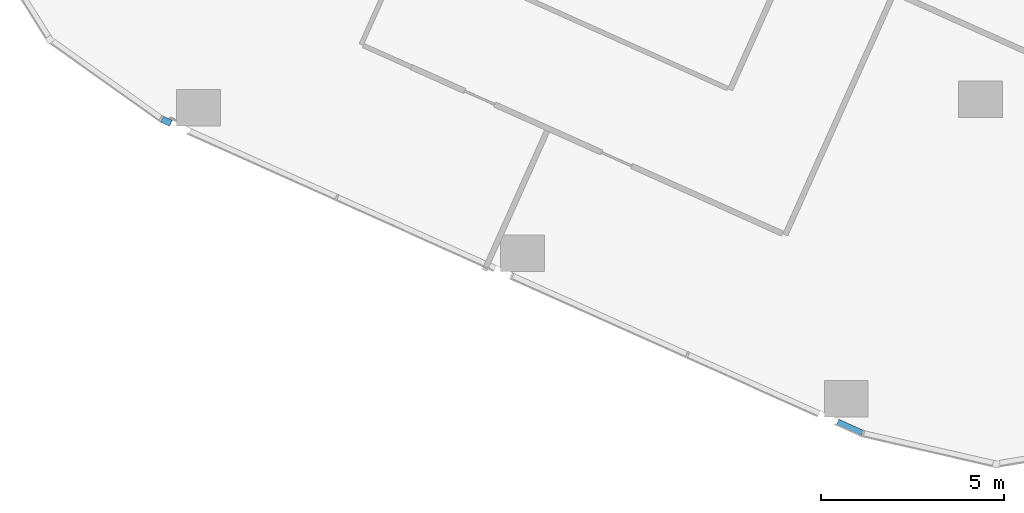
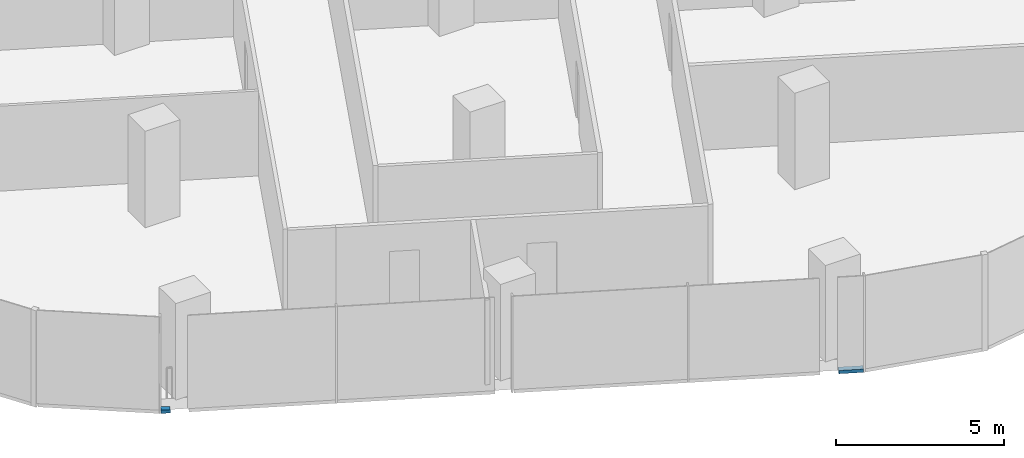
# One storey, part 16 of 34: 2 members, 1 element without a shape of its own.
"""IFC4 building model written with IfcOpenShell, lengths in metres."""

from ifc_helpers import new_model, si_unit, direction, frame, origin, origin_2d, place, context, subcontext, project, spatial, rectangle, extrude, material, material_profile, profile_set, type_object, element, aggregate, save


model = new_model("IFC4")

# Units and contexts
model_context = context("Model", 3, precision=1e-05, world=origin(), true_north=direction((0.0, 1.0)))
body_context = subcontext(model_context, "Body", "Model", "MODEL_VIEW")
ifc_project = project(units=[si_unit("LENGTHUNIT", "METRE"), si_unit("AREAUNIT", "SQUARE_METRE"), si_unit("VOLUMEUNIT", "CUBIC_METRE"), si_unit("PLANEANGLEUNIT", "RADIAN"), si_unit("MASSUNIT", "GRAM", prefix="KILO")], contexts=[model_context])

# Site, building, storey
site_placement = place(None, origin())
site = spatial("IfcSite", under=ifc_project, at=site_placement, CompositionType="ELEMENT")
building_placement = place(site_placement, origin())
building = spatial("IfcBuilding", under=site, at=building_placement, Name="Orlundy Tower", CompositionType="ELEMENT")
storey_placement = place(building_placement, frame((0.0, 0.0, 127.199951171875)))
storey = spatial("IfcBuildingStorey", under=building, at=storey_placement, Name="L32", CompositionType="ELEMENT", Elevation=127.199951171875)

# Curtain wall, members
ifc_material_1 = material(Name="Aluminium bronze anodised", Category="aluminium")
curtain_wall_type = type_object("IfcCurtainWallType", Name="CW1 wall", PredefinedType="NOTDEFINED", material=ifc_material_1)
curtain_wall_placement = place(storey_placement, origin())
curtain_wall = element("IfcCurtainWall", 1, at=curtain_wall_placement, inside=storey, type_object=curtain_wall_type, Name="CW1 run 023", PredefinedType="NOTDEFINED")
ifc_material_2 = material(Name="Aluminium bronze anodised", Category="aluminium")
ifc_material_profile = material_profile(ifc_material_2, rectangle(XDim=0.179931640625, YDim=0.1201171875, at=origin_2d()), Name="CW1 transom 180x120")
ifc_profile_set = profile_set([ifc_material_profile], Name="Aluminium bronze anodised")
member_type = type_object("IfcMemberType", Name="CW1 transom 180x120", PredefinedType="USERDEFINED", material=ifc_profile_set)
member_1_placement = place(storey_placement, frame((-15.23974609375, -59.571533203125, -0.33984375), z_axis=(-0.912282218677, 0.409562148502, 0.0), x_axis=(-0.409562148502, -0.912282218677, 0.0)))
member_1 = element("IfcMember", 2, at=member_1_placement, type_object=member_type, Name="CW1 transom", ObjectType="TRANSOM", PredefinedType="USERDEFINED", context=body_context, shape_type="SweptSolid", body=[
    extrude(rectangle(XDim=0.179931640625, YDim=0.1201171875, at=origin_2d()), origin(), (0.0, 0.0, 1.0), 0.73388671875),
])
member_2_placement = place(storey_placement, frame((-34.1220703125, -51.09912109375, -0.33984375), z_axis=(-0.912324305471, 0.40946838907, 0.0), x_axis=(-0.40946838907, -0.912324305471, 0.0)))
member_2 = element("IfcMember", 3, at=member_2_placement, type_object=member_type, Name="CW1 transom", ObjectType="TRANSOM", PredefinedType="USERDEFINED", context=body_context, shape_type="SweptSolid", body=[
    extrude(rectangle(XDim=0.179931640625, YDim=0.1201171875, at=origin_2d()), origin(), (0.0, 0.0, 1.0), 0.27197265625),
])
aggregate(curtain_wall, [member_1, member_2])

save(model, "model.ifc")
